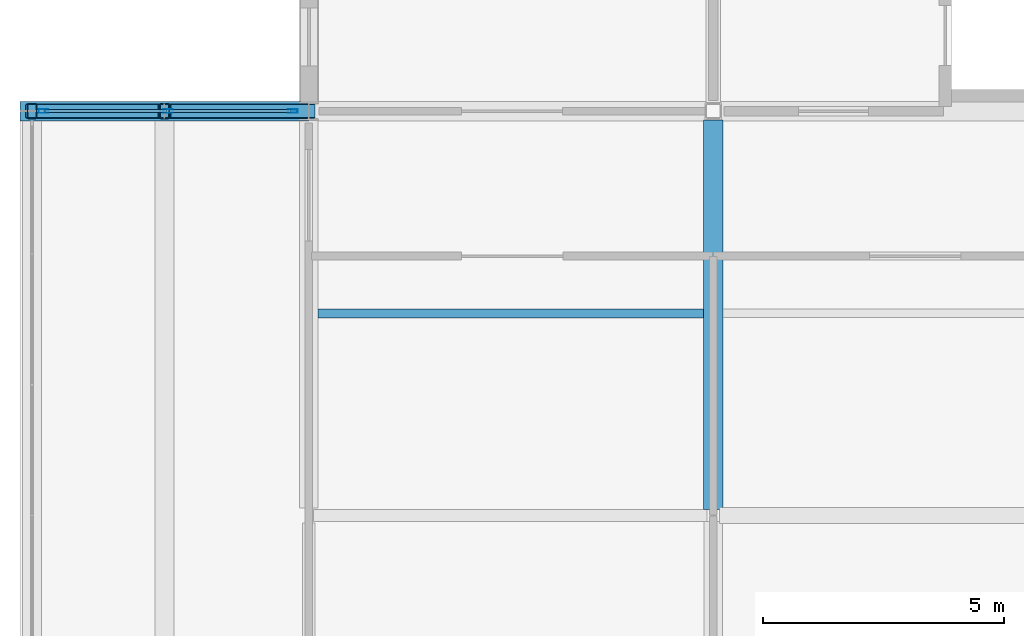
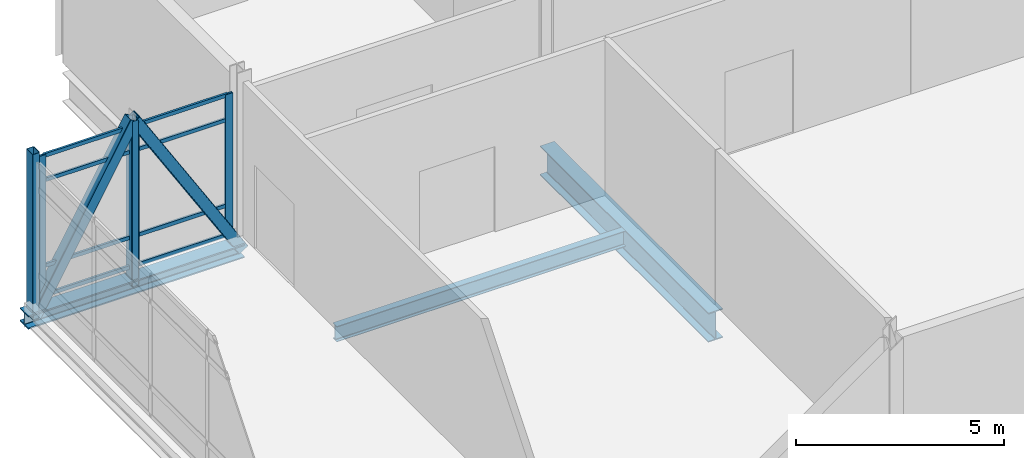
# One storey, part 15 of 45: 15 members, 3 beams, 1 element without a shape of its own.
"""IFC4 building model written with IfcOpenShell, lengths in metres."""

from ifc_helpers import new_model, si_unit, direction, frame, origin, origin_2d, place, context, subcontext, project, spatial, hollow_rectangle, i_section, extrude, material, layer, layer_set, material_profile, profile_set, type_object, element, aggregate, save


model = new_model("IFC4")

# Units and contexts
model_context = context("Model", 3, precision=1e-05, world=origin(), true_north=direction((0.0, 1.0)))
body_context = subcontext(model_context, "Body", "Model", "MODEL_VIEW")
ifc_project = project(units=[si_unit("LENGTHUNIT", "METRE"), si_unit("AREAUNIT", "SQUARE_METRE"), si_unit("VOLUMEUNIT", "CUBIC_METRE"), si_unit("PLANEANGLEUNIT", "RADIAN"), si_unit("MASSUNIT", "GRAM", prefix="KILO")], contexts=[model_context])

# Site, building, storey
site_placement = place(None, origin())
site = spatial("IfcSite", under=ifc_project, at=site_placement, CompositionType="ELEMENT")
building_placement = place(site_placement, origin())
building = spatial("IfcBuilding", under=site, at=building_placement, Name="Calvrana Isthmian Art Gallery", CompositionType="ELEMENT")
storey_placement = place(building_placement, frame((0.0, 0.0, 19.800048828125)))
storey = spatial("IfcBuildingStorey", under=building, at=storey_placement, Name="L04", CompositionType="ELEMENT", Elevation=19.800048828125)

# Beams
ifc_material_1 = material(Name="Steel ASTM A992 Gr 50", Category="steel")
ifc_material_profile_1 = material_profile(ifc_material_1, i_section(OverallWidth=0.39892578125, OverallDepth=0.39404296875, WebThickness=0.022705078125, FlangeThickness=0.03662109375, FilletRadius=0.02490234375, at=origin_2d()), Name="W14X193")
ifc_profile_set_1 = profile_set([ifc_material_profile_1], Name="Steel ASTM A992 Gr 50")
beam_type_1 = type_object("IfcBeamType", Name="BM-CANT-CHORD", PredefinedType="BEAM", material=ifc_profile_set_1)
beam_1_placement = place(storey_placement, frame((15.60009765625, 38.39990234375, -0.467041015625), z_axis=(1.0, 0.0, 0.0), x_axis=(0.0, 1.0, 0.0)))
element("IfcBeam", 1, at=beam_1_placement, inside=storey, type_object=beam_type_1, Name="Lookout cantilever bottom chord 2", PredefinedType="BEAM", context=body_context, shape_type="SweptSolid", body=[
    extrude(i_section(OverallWidth=0.39892578125, OverallDepth=0.39404296875, WebThickness=0.022705078125, FlangeThickness=0.03662109375, FilletRadius=0.02490234375, at=origin_2d()), origin(), (0.0, 0.0, 1.0), 6.0),
])
ifc_material_profile_2 = material_profile(ifc_material_1, i_section(OverallWidth=0.40087890625, OverallDepth=0.85595703125, WebThickness=0.018310546875, FlangeThickness=0.029296875, FilletRadius=0.02587890625, at=origin_2d()), Name="W33X201")
ifc_profile_set_2 = profile_set([ifc_material_profile_2], Name="Steel ASTM A992 Gr 50")
beam_type_2 = type_object("IfcBeamType", Name="BM-G-W33X201", PredefinedType="BEAM", material=ifc_profile_set_2)
beam_2_placement = place(storey_placement, frame((30.0, 30.126953125, -0.693115234375), z_axis=(0.0, 1.0, 0.0), x_axis=(-1.0, 0.0, 0.0)))
element("IfcBeam", 2, at=beam_2_placement, inside=storey, type_object=beam_type_2, Name="Girder Y L04 05/E-F", PredefinedType="BEAM", context=body_context, shape_type="SweptSolid", body=[
    extrude(i_section(OverallWidth=0.40087890625, OverallDepth=0.85595703125, WebThickness=0.018310546875, FlangeThickness=0.029296875, FilletRadius=0.02587890625, at=origin_2d()), origin(), (0.0, 0.0, 1.0), 8.091552734375),
])
ifc_material_profile_3 = material_profile(ifc_material_1, i_section(OverallWidth=0.19091796875, OverallDepth=0.45703125, WebThickness=0.009033203125, FlangeThickness=0.014404296875, FilletRadius=0.02001953125, at=origin_2d()), Name="W18X50")
ifc_profile_set_3 = profile_set([ifc_material_profile_3], Name="Steel ASTM A992 Gr 50")
beam_type_3 = type_object("IfcBeamType", Name="BM-J-W18X50", PredefinedType="JOIST", material=ifc_profile_set_3)
beam_3_placement = place(storey_placement, frame((21.79052734375, 34.199951171875, -0.49365234375), z_axis=(1.0, 0.0, 0.0), x_axis=(0.0, 1.0, 0.0)))
element("IfcBeam", 3, at=beam_3_placement, inside=storey, type_object=beam_type_3, Name="Composite joist L04 bay 03-04", PredefinedType="JOIST", context=body_context, shape_type="SweptSolid", body=[
    extrude(i_section(OverallWidth=0.19091796875, OverallDepth=0.45703125, WebThickness=0.009033203125, FlangeThickness=0.014404296875, FilletRadius=0.02001953125, at=origin_2d()), origin(), (0.0, 0.0, 1.0), 8.009033203125),
])

# Curtain wall, members
ifc_material_2 = material(Name="Anodized bronze aluminium 6063-T6", Category="aluminium")
ifc_layer = layer(ifc_material_2, 0.179931640625, Name="Anodized bronze aluminium 6063-T6")
ifc_layer_set = layer_set([ifc_layer], Name="Anodized bronze aluminium 6063-T6")
curtain_wall_type = type_object("IfcCurtainWallType", Name="CW-UNIT-052X42", PredefinedType="USERDEFINED", material=ifc_layer_set)
curtain_wall_placement = place(storey_placement, origin())
curtain_wall = element("IfcCurtainWall", 4, at=curtain_wall_placement, inside=storey, type_object=curtain_wall_type, Name="Curtain wall CW-195", ObjectType="UNITISED CURTAIN WALL", PredefinedType="USERDEFINED")
ifc_material_profile_4 = material_profile(ifc_material_2, hollow_rectangle(XDim=0.070068359375, YDim=0.199951171875, WallThickness=0.0048828125, at=origin_2d()), Name="CWM70X200")
ifc_profile_set_4 = profile_set([ifc_material_profile_4], Name="Anodized bronze aluminium 6063-T6")
member_type_1 = type_object("IfcMemberType", Name="CWM-CWM70X200", PredefinedType="MULLION", material=ifc_profile_set_4)
member_1_placement = place(storey_placement, frame((16.0849609375, 38.39990234375, 0.0), z_axis=(0.0, 0.0, 1.0), x_axis=(0.0, 1.0, 0.0)))
member_1 = element("IfcMember", 5, at=member_1_placement, type_object=member_type_1, Name="CW-195 mullion 1", PredefinedType="MULLION", context=body_context, shape_type="SweptSolid", body=[
    extrude(hollow_rectangle(XDim=0.070068359375, YDim=0.199951171875, WallThickness=0.0048828125, at=origin_2d()), origin(), (0.0, 0.0, 1.0), 4.160888671875),
])
member_2_placement = place(storey_placement, frame((18.675048828125, 38.39990234375, 0.0), z_axis=(0.0, 0.0, 1.0), x_axis=(0.0, 1.0, 0.0)))
member_2 = element("IfcMember", 6, at=member_2_placement, type_object=member_type_1, Name="CW-195 mullion 2", PredefinedType="MULLION", context=body_context, shape_type="SweptSolid", body=[
    extrude(hollow_rectangle(XDim=0.070068359375, YDim=0.199951171875, WallThickness=0.0048828125, at=origin_2d()), origin(), (0.0, 0.0, 1.0), 4.160888671875),
])
member_3_placement = place(storey_placement, frame((21.264892578125, 38.39990234375, 0.0), z_axis=(0.0, 0.0, 1.0), x_axis=(0.0, 1.0, 0.0)))
member_3 = element("IfcMember", 7, at=member_3_placement, type_object=member_type_1, Name="CW-195 mullion 3", PredefinedType="MULLION", context=body_context, shape_type="SweptSolid", body=[
    extrude(hollow_rectangle(XDim=0.070068359375, YDim=0.199951171875, WallThickness=0.0048828125, at=origin_2d()), origin(), (0.0, 0.0, 1.0), 4.160888671875),
])
ifc_material_profile_5 = material_profile(ifc_material_2, hollow_rectangle(XDim=0.06005859375, YDim=0.110107421875, WallThickness=0.00341796875, at=origin_2d()), Name="CWT60X110")
ifc_profile_set_5 = profile_set([ifc_material_profile_5], Name="Anodized bronze aluminium 6063-T6")
member_type_2 = type_object("IfcMemberType", Name="CWT-CWT60X110", PredefinedType="USERDEFINED", material=ifc_profile_set_5)
member_4_placement = place(storey_placement, frame((16.1201171875, 38.39990234375, 0.030029296875), z_axis=(1.0, 0.0, 0.0), x_axis=(0.0, 1.0, 0.0)))
member_4 = element("IfcMember", 8, at=member_4_placement, type_object=member_type_2, Name="CW-195 transom 1.1", ObjectType="TRANSOM", PredefinedType="USERDEFINED", context=body_context, shape_type="SweptSolid", body=[
    extrude(hollow_rectangle(XDim=0.06005859375, YDim=0.110107421875, WallThickness=0.00341796875, at=origin_2d()), origin(), (0.0, 0.0, 1.0), 2.519775390625),
])
member_5_placement = place(storey_placement, frame((16.1201171875, 38.39990234375, 0.89990234375), z_axis=(1.0, 0.0, 0.0), x_axis=(0.0, 1.0, 0.0)))
member_5 = element("IfcMember", 9, at=member_5_placement, type_object=member_type_2, Name="CW-195 transom 1.2", ObjectType="TRANSOM", PredefinedType="USERDEFINED", context=body_context, shape_type="SweptSolid", body=[
    extrude(hollow_rectangle(XDim=0.06005859375, YDim=0.110107421875, WallThickness=0.00341796875, at=origin_2d()), origin(), (0.0, 0.0, 1.0), 2.519775390625),
])
member_6_placement = place(storey_placement, frame((16.1201171875, 38.39990234375, 3.410888671875), z_axis=(1.0, 0.0, 0.0), x_axis=(0.0, 1.0, 0.0)))
member_6 = element("IfcMember", 10, at=member_6_placement, type_object=member_type_2, Name="CW-195 transom 1.3", ObjectType="TRANSOM", PredefinedType="USERDEFINED", context=body_context, shape_type="SweptSolid", body=[
    extrude(hollow_rectangle(XDim=0.06005859375, YDim=0.110107421875, WallThickness=0.00341796875, at=origin_2d()), origin(), (0.0, 0.0, 1.0), 2.519775390625),
])
member_7_placement = place(storey_placement, frame((16.1201171875, 38.39990234375, 4.130859375), z_axis=(1.0, 0.0, 0.0), x_axis=(0.0, 1.0, 0.0)))
member_7 = element("IfcMember", 11, at=member_7_placement, type_object=member_type_2, Name="CW-195 transom 1.4", ObjectType="TRANSOM", PredefinedType="USERDEFINED", context=body_context, shape_type="SweptSolid", body=[
    extrude(hollow_rectangle(XDim=0.06005859375, YDim=0.110107421875, WallThickness=0.00341796875, at=origin_2d()), origin(), (0.0, 0.0, 1.0), 2.519775390625),
])
member_8_placement = place(storey_placement, frame((18.7099609375, 38.39990234375, 0.030029296875), z_axis=(1.0, 0.0, 0.0), x_axis=(0.0, 1.0, 0.0)))
member_8 = element("IfcMember", 12, at=member_8_placement, type_object=member_type_2, Name="CW-195 transom 2.1", ObjectType="TRANSOM", PredefinedType="USERDEFINED", context=body_context, shape_type="SweptSolid", body=[
    extrude(hollow_rectangle(XDim=0.06005859375, YDim=0.110107421875, WallThickness=0.00341796875, at=origin_2d()), origin(), (0.0, 0.0, 1.0), 2.52001953125),
])
member_9_placement = place(storey_placement, frame((18.7099609375, 38.39990234375, 0.89990234375), z_axis=(1.0, 0.0, 0.0), x_axis=(0.0, 1.0, 0.0)))
member_9 = element("IfcMember", 13, at=member_9_placement, type_object=member_type_2, Name="CW-195 transom 2.2", ObjectType="TRANSOM", PredefinedType="USERDEFINED", context=body_context, shape_type="SweptSolid", body=[
    extrude(hollow_rectangle(XDim=0.06005859375, YDim=0.110107421875, WallThickness=0.00341796875, at=origin_2d()), origin(), (0.0, 0.0, 1.0), 2.52001953125),
])
member_10_placement = place(storey_placement, frame((18.7099609375, 38.39990234375, 3.410888671875), z_axis=(1.0, 0.0, 0.0), x_axis=(0.0, 1.0, 0.0)))
member_10 = element("IfcMember", 14, at=member_10_placement, type_object=member_type_2, Name="CW-195 transom 2.3", ObjectType="TRANSOM", PredefinedType="USERDEFINED", context=body_context, shape_type="SweptSolid", body=[
    extrude(hollow_rectangle(XDim=0.06005859375, YDim=0.110107421875, WallThickness=0.00341796875, at=origin_2d()), origin(), (0.0, 0.0, 1.0), 2.52001953125),
])
member_11_placement = place(storey_placement, frame((18.7099609375, 38.39990234375, 4.130859375), z_axis=(1.0, 0.0, 0.0), x_axis=(0.0, 1.0, 0.0)))
member_11 = element("IfcMember", 15, at=member_11_placement, type_object=member_type_2, Name="CW-195 transom 2.4", ObjectType="TRANSOM", PredefinedType="USERDEFINED", context=body_context, shape_type="SweptSolid", body=[
    extrude(hollow_rectangle(XDim=0.06005859375, YDim=0.110107421875, WallThickness=0.00341796875, at=origin_2d()), origin(), (0.0, 0.0, 1.0), 2.52001953125),
])
aggregate(curtain_wall, [member_1, member_2, member_3, member_4, member_5, member_6, member_7, member_8, member_9, member_10, member_11])

# Members
ifc_material_3 = material(Name="Steel ASTM A500 Gr C", Category="steel")
ifc_material_profile_6 = material_profile(ifc_material_3, hollow_rectangle(XDim=0.3046875, YDim=0.3046875, WallThickness=0.015869140625, OuterFilletRadius=0.031982421875, at=origin_2d()), Name="HSS305X305X15.9")
ifc_profile_set_6 = profile_set([ifc_material_profile_6], Name="Steel ASTM A500 Gr C")
member_type_3 = type_object("IfcMemberType", Name="MB-CANT-DIAG", PredefinedType="BRACE", material=ifc_profile_set_6)
member_12_placement = place(storey_placement, frame((15.85009765625, 38.39990234375, -0.467041015625), z_axis=(0.49400262615, 0.0, 0.86946041046), x_axis=(0.0, 1.0, 0.0)))
element("IfcMember", 16, at=member_12_placement, inside=storey, type_object=member_type_3, Name="Lookout truss 2 diagonal 1", PredefinedType="BRACE", context=body_context, shape_type="SweptSolid", body=[
    extrude(hollow_rectangle(XDim=0.3046875, YDim=0.3046875, WallThickness=0.015869140625, OuterFilletRadius=0.031982421875, at=origin_2d()), origin(), (0.0, 0.0, 1.0), 5.566650390625),
])
member_13_placement = place(storey_placement, frame((18.60009765625, 38.39990234375, 4.373046875), z_axis=(0.526831272684, 0.0, -0.849969887774), x_axis=(0.0, 1.0, 0.0)))
element("IfcMember", 17, at=member_13_placement, inside=storey, type_object=member_type_3, Name="Lookout truss 2 diagonal 2", PredefinedType="BRACE", context=body_context, shape_type="SweptSolid", body=[
    extrude(hollow_rectangle(XDim=0.3046875, YDim=0.3046875, WallThickness=0.015869140625, OuterFilletRadius=0.031982421875, at=origin_2d()), origin(), (0.0, 0.0, 1.0), 5.6943359375),
])
ifc_material_profile_7 = material_profile(ifc_material_3, hollow_rectangle(XDim=0.203125, YDim=0.3046875, WallThickness=0.0126953125, OuterFilletRadius=0.02490234375, at=origin_2d()), Name="HSS305X203X12.7")
ifc_profile_set_7 = profile_set([ifc_material_profile_7], Name="Steel ASTM A500 Gr C")
member_type_4 = type_object("IfcMemberType", Name="MB-POST-HSS305", PredefinedType="POST", material=ifc_profile_set_7)
for number, where, z_axis, x_axis, name in (
    (18, (15.85009765625, 38.39990234375, -0.467041015625), (0.0, 0.0, 1.0), (1.0, 0.0, 0.0), "Lookout truss 2 post 1"),
    (19, (18.60009765625, 38.39990234375, -0.467041015625), (0.0, 0.0, 1.0), (1.0, 0.0, 0.0), "Lookout truss 2 post 2"),
):
    element("IfcMember", number, at=place(storey_placement, frame(where, z_axis=z_axis, x_axis=x_axis)), inside=storey, type_object=member_type_4, Name=name, PredefinedType="POST", context=body_context, shape_type="SweptSolid", body=[
        extrude(hollow_rectangle(XDim=0.203125, YDim=0.3046875, WallThickness=0.0126953125, OuterFilletRadius=0.02490234375, at=origin_2d()), origin(), (0.0, 0.0, 1.0), 4.840087890625),
    ])

save(model, "model.ifc")
